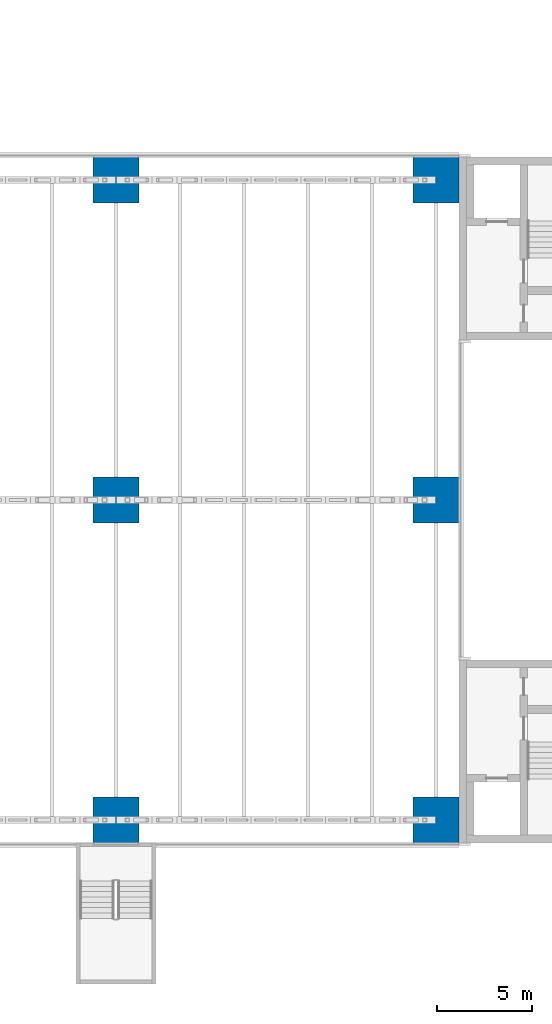
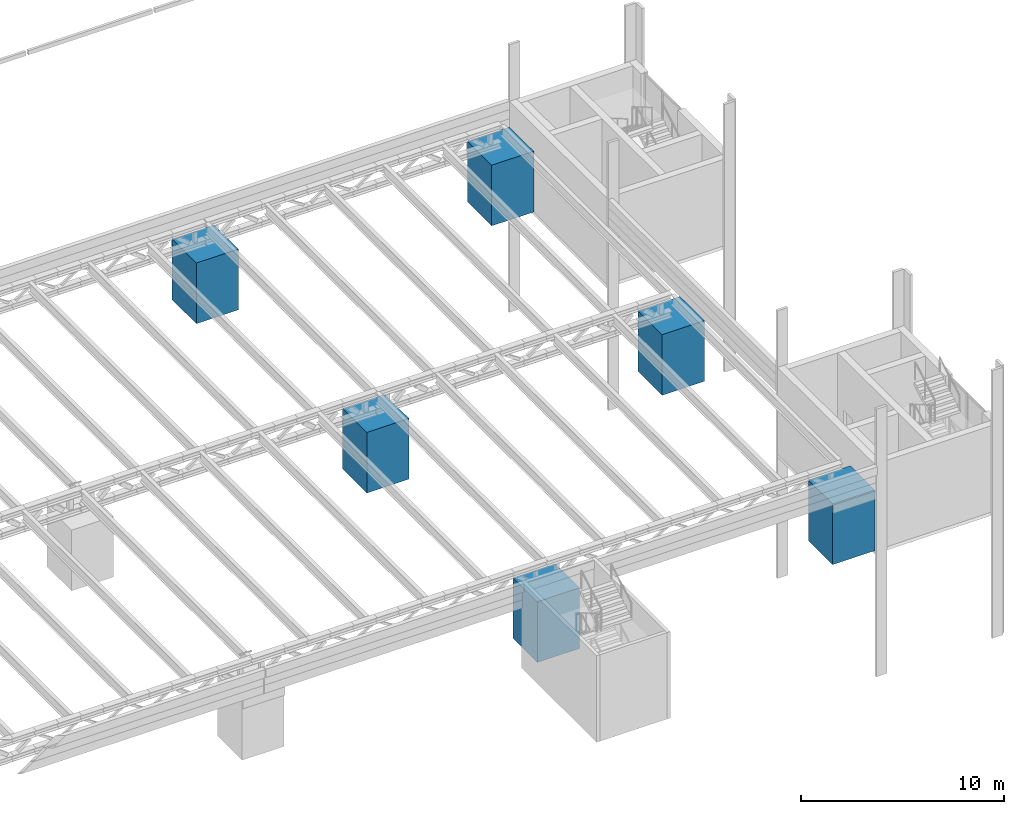
# One storey, part 12 of 93: 6 columns.
"""IFC4 building model written with IfcOpenShell, lengths in metres."""

from ifc_helpers import new_model, si_unit, direction, frame, origin, origin_2d, place, context, subcontext, project, spatial, rectangle, extrude, material, material_profile, profile_set, type_object, element, save


model = new_model("IFC4")

# Units and contexts
model_context = context("Model", 3, precision=1e-05, world=origin(), true_north=direction((0.0, 1.0)))
body_context = subcontext(model_context, "Body", "Model", "MODEL_VIEW")
ifc_project = project(units=[si_unit("LENGTHUNIT", "METRE"), si_unit("AREAUNIT", "SQUARE_METRE"), si_unit("VOLUMEUNIT", "CUBIC_METRE"), si_unit("PLANEANGLEUNIT", "RADIAN"), si_unit("MASSUNIT", "GRAM", prefix="KILO")], contexts=[model_context])

# Site, building, storey
site_placement = place(None, origin())
site = spatial("IfcSite", under=ifc_project, at=site_placement, CompositionType="ELEMENT")
building_placement = place(site_placement, origin())
building = spatial("IfcBuilding", under=site, at=building_placement, Name="Verrick Yard Athletic Hall", CompositionType="ELEMENT")
storey_placement = place(building_placement, frame((0.0, 0.0, 8.800048828125)))
storey = spatial("IfcBuildingStorey", under=building, at=storey_placement, Name="L02", CompositionType="ELEMENT", Elevation=8.800048828125)

# Columns
ifc_material = material(Name="Concrete 35 MPa", Category="concrete")
ifc_material_profile = material_profile(ifc_material, rectangle(XDim=2.39990234375, YDim=2.39990234375, at=origin_2d()), Name="STR Buttress pier PR1")
ifc_profile_set = profile_set([ifc_material_profile], Name="Concrete 35 MPa")
column_type = type_object("IfcColumnType", Name="STR Buttress pier PR1", PredefinedType="COLUMN", material=ifc_profile_set)
for number, where, z_axis, x_axis, name in (
    (1, (140.800048828125, 19.199951171875, 0.0), (0.0, 0.0, 1.0), (1.0, 0.0, 0.0), "Buttress pier P7A"),
    (2, (157.60009765625, 19.199951171875, 0.0), (0.0, 0.0, 1.0), (1.0, 0.0, 0.0), "Buttress pier P8A"),
    (3, (140.800048828125, 36.0, 0.0), (0.0, 0.0, 1.0), (1.0, 0.0, 0.0), "Buttress pier P7B"),
    (4, (157.60009765625, 36.0, 0.0), (0.0, 0.0, 1.0), (1.0, 0.0, 0.0), "Buttress pier P8B"),
    (5, (140.800048828125, 52.800048828125, 0.0), (0.0, 0.0, 1.0), (1.0, 0.0, 0.0), "Buttress pier P7C"),
    (6, (157.60009765625, 52.800048828125, 0.0), (0.0, 0.0, 1.0), (1.0, 0.0, 0.0), "Buttress pier P8C"),
):
    element("IfcColumn", number, at=place(storey_placement, frame(where, z_axis=z_axis, x_axis=x_axis)), inside=storey, type_object=column_type, Name=name, PredefinedType="COLUMN", context=body_context, shape_type="SweptSolid", body=[
        extrude(rectangle(XDim=2.39990234375, YDim=2.39990234375, at=origin_2d()), origin(), (0.0, 0.0, 1.0), 3.64990234375),
    ])

save(model, "model.ifc")
